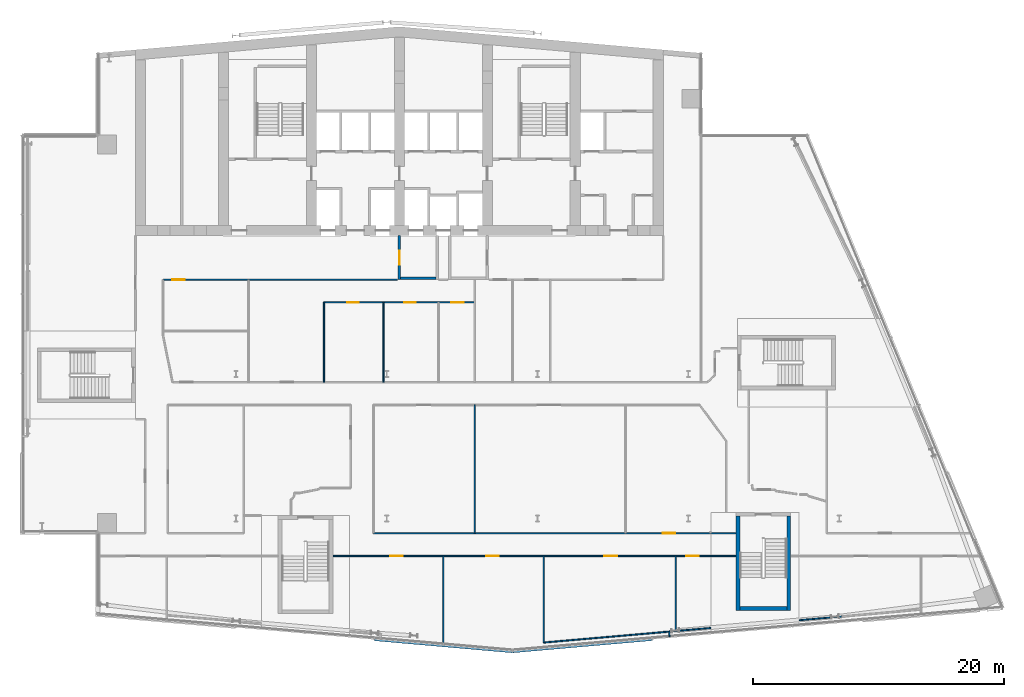
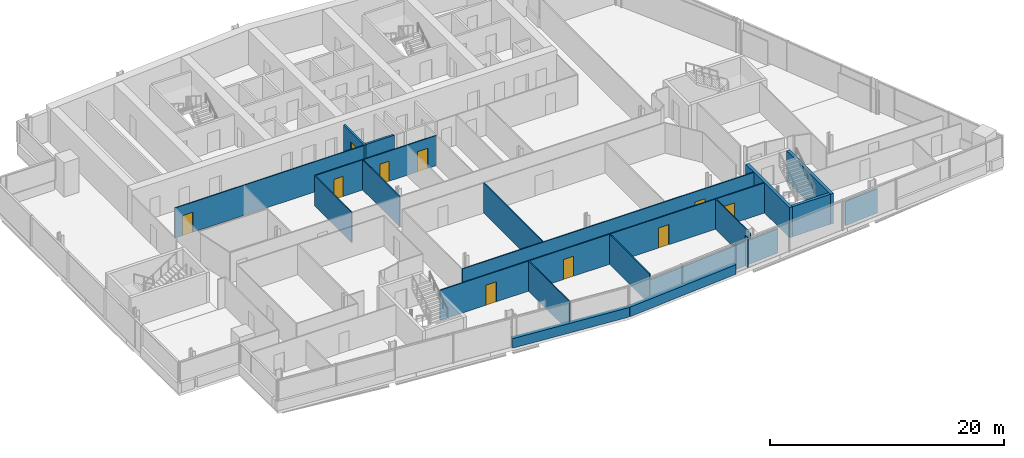
# One storey, part 16 of 24: 20 walls, 10 doors, 10 openings.
"""IFC4 building model written with IfcOpenShell, lengths in metres."""

from ifc_helpers import new_model, si_unit, direction, frame, frame_2d, origin, place, context, subcontext, project, spatial, rectangle, extrude, material, layer, layer_set, type_object, element, fill, save


model = new_model("IFC4")

# Units and contexts
model_context = context("Model", 3, precision=1e-05, world=origin(), true_north=direction((0.0, 1.0)))
body_context = subcontext(model_context, "Body", "Model", "MODEL_VIEW")
ifc_project = project(units=[si_unit("LENGTHUNIT", "METRE"), si_unit("AREAUNIT", "SQUARE_METRE"), si_unit("VOLUMEUNIT", "CUBIC_METRE"), si_unit("PLANEANGLEUNIT", "RADIAN"), si_unit("MASSUNIT", "GRAM", prefix="KILO")], contexts=[model_context])

# Site, building, storey
site_placement = place(None, origin())
site = spatial("IfcSite", under=ifc_project, at=site_placement, CompositionType="ELEMENT")
building_placement = place(site_placement, origin())
building = spatial("IfcBuilding", under=site, at=building_placement, Name="Wharfspan Tower", CompositionType="ELEMENT")
storey_placement = place(building_placement, frame((0.0, 0.0, 198.699951)))
storey = spatial("IfcBuildingStorey", under=building, at=storey_placement, Name="L49", CompositionType="ELEMENT", Elevation=198.699951)

# Wall, opening, door
ifc_material_1 = material(Name="Gypsum board on steel studs", Category="steel")
ifc_layer_1 = layer(ifc_material_1, 0.100098)
ifc_layer_set_1 = layer_set([ifc_layer_1], Name="Gypsum board on steel studs")
wall_type_1 = type_object("IfcWallType", Name="Compartment wall 100 EI 60", PredefinedType="PARTITIONING", material=ifc_layer_set_1)
wall_1_placement = place(storey_placement, frame((18.199951, 30.5, 0.0), z_axis=(0.0, 0.0, 1.0), x_axis=(1.0, 0.0, 0.0)))
wall_1 = element("IfcWall", 1, at=wall_1_placement, inside=storey, type_object=wall_type_1, Name="Partition L49.w011", PredefinedType="PARTITIONING", context=body_context, shape_type="SweptSolid", body=[
    extrude(rectangle(XDim=18.650146, YDim=0.100098, at=frame_2d((9.325195, 0.0))), origin(), (0.0, 0.0, 1.0), 3.150146),
])
opening_1_placement = place(wall_1_placement, frame((0.73999, 0.0, 0.0)))
opening_1 = element("IfcOpeningElement", 2, at=opening_1_placement, cuts=wall_1, Name="Opening C6-24", PredefinedType="OPENING", context=body_context, shape_type="SweptSolid", body=[
    extrude(rectangle(XDim=1.0, YDim=2.100098, at=frame_2d((0.5, 1.050049))), frame((0.0, 0.060059, 0.0), z_axis=(0.0, -1.0, 0.0), x_axis=(1.0, 0.0, 0.0)), (0.0, 0.0, 1.0), 0.120117),
])
ifc_material_2 = material(Name="Fire-rated timber door leaf in steel frame", Category="steel")
door_type_1 = type_object("IfcDoorType", Name="Door 1000 FD30S Left", OperationType="SINGLE_SWING_LEFT", PredefinedType="DOOR", material=ifc_material_2)
door_1_placement = place(opening_1_placement, origin())
door_1 = element("IfcDoor", 3, at=door_1_placement, inside=storey, type_object=door_type_1, Name="Door C6-24", OperationType="SINGLE_SWING_LEFT", OverallHeight=2.100098, OverallWidth=1.0, PredefinedType="DOOR", context=body_context, shape_type="SweptSolid", body=[
    extrude(rectangle(XDim=1.0, YDim=2.100098, at=frame_2d((0.5, 1.050049))), frame((0.0, 0.024902, 0.0), z_axis=(0.0, -1.0, 0.0), x_axis=(1.0, 0.0, 0.0)), (0.0, 0.0, 1.0), 0.050049),
])
fill(opening_1, door_1)

# Wall
wall_2_placement = place(storey_placement, frame((31.0, 22.340088, 0.0), z_axis=(0.0, 0.0, 1.0), x_axis=(0.0, 1.0, 0.0)))
element("IfcWall", 4, at=wall_2_placement, inside=storey, type_object=wall_type_1, Name="Partition L49.w031", PredefinedType="PARTITIONING", context=body_context, shape_type="SweptSolid", body=[
    extrude(rectangle(XDim=6.359863, YDim=0.100098, at=frame_2d((3.179932, 0.0))), origin(), (0.0, 0.0, 1.0), 3.150146),
])

# Wall, openings, doors
wall_3_placement = place(storey_placement, frame((31.714111, 8.52002, 0.0), z_axis=(0.0, 0.0, 1.0), x_axis=(1.0, 0.0, 0.0)))
wall_3 = element("IfcWall", 5, at=wall_3_placement, inside=storey, type_object=wall_type_1, Name="Partition L49.w033", PredefinedType="PARTITIONING", context=body_context, shape_type="SweptSolid", body=[
    extrude(rectangle(XDim=32.072266, YDim=0.100098, at=frame_2d((16.036133, 0.0))), origin(), (0.0, 0.0, 1.0), 3.150146),
])
opening_2_placement = place(wall_3_placement, frame((4.545898, 0.0, 0.0)))
opening_2 = element("IfcOpeningElement", 6, at=opening_2_placement, cuts=wall_3, Name="Opening C6-03", PredefinedType="OPENING", context=body_context, shape_type="SweptSolid", body=[
    extrude(rectangle(XDim=1.0, YDim=2.100098, at=frame_2d((0.5, 1.050049))), frame((0.0, 0.060059, 0.0), z_axis=(0.0, -1.0, 0.0), x_axis=(1.0, 0.0, 0.0)), (0.0, 0.0, 1.0), 0.120117),
])
opening_3_placement = place(wall_3_placement, frame((12.205811, 0.0, 0.0)))
opening_3 = element("IfcOpeningElement", 7, at=opening_3_placement, cuts=wall_3, Name="Opening C6-04", PredefinedType="OPENING", context=body_context, shape_type="SweptSolid", body=[
    extrude(rectangle(XDim=1.0, YDim=2.100098, at=frame_2d((0.5, 1.050049))), frame((0.0, 0.060059, 0.0), z_axis=(0.0, -1.0, 0.0), x_axis=(1.0, 0.0, 0.0)), (0.0, 0.0, 1.0), 0.120117),
])
opening_4_placement = place(wall_3_placement, frame((21.605713, 0.0, 0.0)))
opening_4 = element("IfcOpeningElement", 8, at=opening_4_placement, cuts=wall_3, Name="Opening C6-05", PredefinedType="OPENING", context=body_context, shape_type="SweptSolid", body=[
    extrude(rectangle(XDim=1.0, YDim=2.100098, at=frame_2d((0.5, 1.050049))), frame((0.0, 0.060059, 0.0), z_axis=(0.0, -1.0, 0.0), x_axis=(1.0, 0.0, 0.0)), (0.0, 0.0, 1.0), 0.120117),
])
opening_5_placement = place(wall_3_placement, frame((28.105713, 0.0, 0.0)))
opening_5 = element("IfcOpeningElement", 9, at=opening_5_placement, cuts=wall_3, Name="Opening C6-06", PredefinedType="OPENING", context=body_context, shape_type="SweptSolid", body=[
    extrude(rectangle(XDim=1.0, YDim=2.100098, at=frame_2d((0.5, 1.050049))), frame((0.0, 0.060059, 0.0), z_axis=(0.0, -1.0, 0.0), x_axis=(1.0, 0.0, 0.0)), (0.0, 0.0, 1.0), 0.120117),
])
door_2_placement = place(opening_2_placement, origin())
door_2 = element("IfcDoor", 10, at=door_2_placement, inside=storey, type_object=door_type_1, Name="Door C6-03", OperationType="SINGLE_SWING_LEFT", OverallHeight=2.100098, OverallWidth=1.0, PredefinedType="DOOR", context=body_context, shape_type="SweptSolid", body=[
    extrude(rectangle(XDim=1.0, YDim=2.100098, at=frame_2d((0.5, 1.050049))), frame((0.0, 0.024902, 0.0), z_axis=(0.0, -1.0, 0.0), x_axis=(1.0, 0.0, 0.0)), (0.0, 0.0, 1.0), 0.050049),
])
fill(opening_2, door_2)
door_3_placement = place(opening_3_placement, origin())
door_3 = element("IfcDoor", 11, at=door_3_placement, inside=storey, type_object=door_type_1, Name="Door C6-04", OperationType="SINGLE_SWING_LEFT", OverallHeight=2.100098, OverallWidth=1.0, PredefinedType="DOOR", context=body_context, shape_type="SweptSolid", body=[
    extrude(rectangle(XDim=1.0, YDim=2.100098, at=frame_2d((0.5, 1.050049))), frame((0.0, 0.024902, 0.0), z_axis=(0.0, -1.0, 0.0), x_axis=(1.0, 0.0, 0.0)), (0.0, 0.0, 1.0), 0.050049),
])
fill(opening_3, door_3)
door_type_2 = type_object("IfcDoorType", Name="Door 1000 FD30S Right", OperationType="SINGLE_SWING_RIGHT", PredefinedType="DOOR", material=ifc_material_2)
door_4_placement = place(opening_4_placement, origin())
door_4 = element("IfcDoor", 12, at=door_4_placement, inside=storey, type_object=door_type_2, Name="Door C6-05", OperationType="SINGLE_SWING_RIGHT", OverallHeight=2.100098, OverallWidth=1.0, PredefinedType="DOOR", context=body_context, shape_type="SweptSolid", body=[
    extrude(rectangle(XDim=1.0, YDim=2.100098, at=frame_2d((0.5, 1.050049))), frame((0.0, 0.024902, 0.0), z_axis=(0.0, -1.0, 0.0), x_axis=(1.0, 0.0, 0.0)), (0.0, 0.0, 1.0), 0.050049),
])
fill(opening_4, door_4)
door_5_placement = place(opening_5_placement, origin())
door_5 = element("IfcDoor", 13, at=door_5_placement, inside=storey, type_object=door_type_2, Name="Door C6-06", OperationType="SINGLE_SWING_RIGHT", OverallHeight=2.100098, OverallWidth=1.0, PredefinedType="DOOR", context=body_context, shape_type="SweptSolid", body=[
    extrude(rectangle(XDim=1.0, YDim=2.100098, at=frame_2d((0.5, 1.050049))), frame((0.0, 0.024902, 0.0), z_axis=(0.0, -1.0, 0.0), x_axis=(1.0, 0.0, 0.0)), (0.0, 0.0, 1.0), 0.050049),
])
fill(opening_5, door_5)

# Wall, opening, door
wall_4_placement = place(storey_placement, frame((34.945068, 10.324951, 0.0), z_axis=(0.0, 0.0, 1.0), x_axis=(1.0, 0.0, 0.0)))
wall_4 = element("IfcWall", 14, at=wall_4_placement, inside=storey, type_object=wall_type_1, Name="Partition L49.w036", PredefinedType="PARTITIONING", context=body_context, shape_type="SweptSolid", body=[
    extrude(rectangle(XDim=28.841309, YDim=0.100098, at=frame_2d((14.420654, 0.0))), origin(), (0.0, 0.0, 1.0), 3.150146),
])
opening_6_placement = place(wall_4_placement, frame((22.995117, 0.0, 0.0)))
opening_6 = element("IfcOpeningElement", 15, at=opening_6_placement, cuts=wall_4, Name="Opening C6-09", PredefinedType="OPENING", context=body_context, shape_type="SweptSolid", body=[
    extrude(rectangle(XDim=1.0, YDim=2.100098, at=frame_2d((0.5, 1.050049))), frame((0.0, 0.060059, 0.0), z_axis=(0.0, -1.0, 0.0), x_axis=(1.0, 0.0, 0.0)), (0.0, 0.0, 1.0), 0.120117),
])
door_6_placement = place(opening_6_placement, origin())
door_6 = element("IfcDoor", 16, at=door_6_placement, inside=storey, type_object=door_type_2, Name="Door C6-09", OperationType="SINGLE_SWING_RIGHT", OverallHeight=2.100098, OverallWidth=1.0, PredefinedType="DOOR", context=body_context, shape_type="SweptSolid", body=[
    extrude(rectangle(XDim=1.0, YDim=2.100098, at=frame_2d((0.5, 1.050049))), frame((0.0, 0.024902, 0.0), z_axis=(0.0, -1.0, 0.0), x_axis=(1.0, 0.0, 0.0)), (0.0, 0.0, 1.0), 0.050049),
])
fill(opening_6, door_6)

# Walls
wall_5_placement = place(storey_placement, frame((35.73999, 22.340088, 0.0), z_axis=(0.0, 0.0, 1.0), x_axis=(0.0, 1.0, 0.0)))
element("IfcWall", 17, at=wall_5_placement, inside=storey, type_object=wall_type_1, Name="Partition L49.w040", PredefinedType="PARTITIONING", context=body_context, shape_type="SweptSolid", body=[
    extrude(rectangle(XDim=6.359863, YDim=0.100098, at=frame_2d((3.179932, 0.0))), origin(), (0.0, 0.0, 1.0), 3.150146),
])
wall_6_placement = place(storey_placement, frame((40.5, 1.489258, 0.0), z_axis=(0.0, 0.0, 1.0), x_axis=(0.0, 1.0, 0.0)))
element("IfcWall", 18, at=wall_6_placement, inside=storey, type_object=wall_type_1, Name="Partition L49.w042", PredefinedType="PARTITIONING", context=body_context, shape_type="SweptSolid", body=[
    extrude(rectangle(XDim=7.030762, YDim=0.100098, at=frame_2d((3.515381, 0.0))), origin(), (0.0, 0.0, 1.0), 3.150146),
])
wall_7_placement = place(storey_placement, frame((43.0, 10.330078, 0.0), z_axis=(0.0, 0.0, 1.0), x_axis=(0.0, 1.0, 0.0)))
element("IfcWall", 19, at=wall_7_placement, inside=storey, type_object=wall_type_1, Name="Partition L49.w043", PredefinedType="PARTITIONING", context=body_context, shape_type="SweptSolid", body=[
    extrude(rectangle(XDim=10.204834, YDim=0.100098, at=frame_2d((5.102539, 0.0))), origin(), (0.0, 0.0, 1.0), 3.150146),
])
wall_8_placement = place(storey_placement, frame((48.5, 1.629883, 0.0), z_axis=(0.0, 0.0, 1.0), x_axis=(0.0, 1.0, 0.0)))
element("IfcWall", 20, at=wall_8_placement, inside=storey, type_object=wall_type_1, Name="Partition L49.w046", PredefinedType="PARTITIONING", context=body_context, shape_type="SweptSolid", body=[
    extrude(rectangle(XDim=6.890137, YDim=0.100098, at=frame_2d((3.445068, 0.0))), origin(), (0.0, 0.0, 1.0), 3.150146),
])
wall_9_placement = place(storey_placement, frame((59.0, 2.544922, 0.0), z_axis=(0.0, 0.0, 1.0), x_axis=(0.0, 1.0, 0.0)))
element("IfcWall", 21, at=wall_9_placement, inside=storey, type_object=wall_type_1, Name="Partition L49.w052", PredefinedType="PARTITIONING", context=body_context, shape_type="SweptSolid", body=[
    extrude(rectangle(XDim=5.975098, YDim=0.100098, at=frame_2d((2.987549, 0.0))), origin(), (0.0, 0.0, 1.0), 3.150146),
])

# Wall, opening, door
ifc_material_3 = material(Name="Concrete C30/37", Category="concrete")
ifc_layer_2 = layer(ifc_material_3, 0.199951)
ifc_layer_set_2 = layer_set([ifc_layer_2], Name="Concrete C30/37")
wall_type_2 = type_object("IfcWallType", Name="Lobby wall 200", PredefinedType="PARTITIONING", material=ifc_layer_set_2)
wall_10_placement = place(storey_placement, frame((37.0, 30.5, 0.0), z_axis=(0.0, 0.0, 1.0), x_axis=(0.0, 1.0, 0.0)))
wall_10 = element("IfcWall", 22, at=wall_10_placement, inside=storey, type_object=wall_type_2, Name="sw:L49:FLFF1W", PredefinedType="PARTITIONING", context=body_context, shape_type="SweptSolid", body=[
    extrude(rectangle(XDim=3.5, YDim=0.199951, at=frame_2d((1.75, 0.0))), origin(), (0.0, 0.0, 1.0), 3.150146),
])
opening_7_placement = place(wall_10_placement, frame((1.199951, 0.0, 0.0)))
opening_7 = element("IfcOpeningElement", 23, at=opening_7_placement, cuts=wall_10, Name="Opening FL.FF1.L49", PredefinedType="OPENING", context=body_context, shape_type="SweptSolid", body=[
    extrude(rectangle(XDim=1.100098, YDim=2.100098, at=frame_2d((0.550049, 1.050049))), frame((0.0, 0.109863, 0.0), z_axis=(0.0, -1.0, 0.0), x_axis=(1.0, 0.0, 0.0)), (0.0, 0.0, 1.0), 0.219971),
])
ifc_material_4 = material(Name="Steel door leaf", Category="steel")
door_type_3 = type_object("IfcDoorType", Name="Firefighting lobby door 1100x2100", OperationType="SINGLE_SWING_LEFT", PredefinedType="DOOR", material=ifc_material_4)
door_7_placement = place(opening_7_placement, origin())
door_7 = element("IfcDoor", 24, at=door_7_placement, inside=storey, type_object=door_type_3, Name="fd:L49:FF1", OperationType="SINGLE_SWING_LEFT", OverallHeight=2.100098, OverallWidth=1.100098, PredefinedType="DOOR", context=body_context, shape_type="SweptSolid", body=[
    extrude(rectangle(XDim=1.100098, YDim=2.100098, at=frame_2d((0.550049, 1.050049))), frame((0.0, 0.024902, 0.0), z_axis=(0.0, -1.0, 0.0), x_axis=(1.0, 0.0, 0.0)), (0.0, 0.0, 1.0), 0.050049),
])
fill(opening_7, door_7)

# Wall
wall_11_placement = place(storey_placement, frame((37.100098, 30.600098, 0.0), z_axis=(0.0, 0.0, 1.0), x_axis=(1.0, 0.0, 0.0)))
element("IfcWall", 25, at=wall_11_placement, inside=storey, type_object=wall_type_2, Name="sw:L49:FLFF1F", PredefinedType="PARTITIONING", context=body_context, shape_type="SweptSolid", body=[
    extrude(rectangle(XDim=2.799805, YDim=0.199951, at=frame_2d((1.399902, 0.0))), origin(), (0.0, 0.0, 1.0), 3.150146),
])

# Wall, openings, doors
ifc_layer_3 = layer(ifc_material_1, 0.100098)
ifc_layer_set_3 = layer_set([ifc_layer_3], Name="Gypsum board on steel studs")
wall_type_3 = type_object("IfcWallType", Name="Partition 100", PredefinedType="PARTITIONING", material=ifc_layer_set_3)
wall_12_placement = place(storey_placement, frame((31.0, 28.699951, 0.0), z_axis=(0.0, 0.0, 1.0), x_axis=(1.0, 0.0, 0.0)))
wall_12 = element("IfcWall", 26, at=wall_12_placement, inside=storey, type_object=wall_type_3, Name="Partition L49.w032", PredefinedType="PARTITIONING", context=body_context, shape_type="SweptSolid", body=[
    extrude(rectangle(XDim=12.0, YDim=0.100098, at=frame_2d((6.0, 0.0))), origin(), (0.0, 0.0, 1.0), 3.150146),
])
opening_8_placement = place(wall_12_placement, frame((1.870117, 0.0, 0.0)))
opening_8 = element("IfcOpeningElement", 27, at=opening_8_placement, cuts=wall_12, Name="Opening C6-20", PredefinedType="OPENING", context=body_context, shape_type="SweptSolid", body=[
    extrude(rectangle(XDim=0.899902, YDim=2.100098, at=frame_2d((0.449951, 1.050049))), frame((0.0, 0.060059, 0.0), z_axis=(0.0, -1.0, 0.0), x_axis=(1.0, 0.0, 0.0)), (0.0, 0.0, 1.0), 0.120117),
])
opening_9_placement = place(wall_12_placement, frame((6.409912, 0.0, 0.0)))
opening_9 = element("IfcOpeningElement", 28, at=opening_9_placement, cuts=wall_12, Name="Opening C6-21", PredefinedType="OPENING", context=body_context, shape_type="SweptSolid", body=[
    extrude(rectangle(XDim=0.899902, YDim=2.100098, at=frame_2d((0.449951, 1.050049))), frame((0.0, 0.060059, 0.0), z_axis=(0.0, -1.0, 0.0), x_axis=(1.0, 0.0, 0.0)), (0.0, 0.0, 1.0), 0.120117),
])
opening_10_placement = place(wall_12_placement, frame((10.139893, 0.0, 0.0)))
opening_10 = element("IfcOpeningElement", 29, at=opening_10_placement, cuts=wall_12, Name="Opening C6-22", PredefinedType="OPENING", context=body_context, shape_type="SweptSolid", body=[
    extrude(rectangle(XDim=1.0, YDim=2.100098, at=frame_2d((0.5, 1.050049))), frame((0.0, 0.060059, 0.0), z_axis=(0.0, -1.0, 0.0), x_axis=(1.0, 0.0, 0.0)), (0.0, 0.0, 1.0), 0.120117),
])
ifc_material_5 = material(Name="Timber door leaf in steel frame", Category="steel")
door_type_4 = type_object("IfcDoorType", Name="Door 1000 NOT RATED Right", OperationType="SINGLE_SWING_RIGHT", PredefinedType="DOOR", material=ifc_material_5)
door_8_placement = place(opening_10_placement, origin())
door_8 = element("IfcDoor", 30, at=door_8_placement, inside=storey, type_object=door_type_4, Name="Door C6-22", OperationType="SINGLE_SWING_RIGHT", OverallHeight=2.100098, OverallWidth=1.0, PredefinedType="DOOR", context=body_context, shape_type="SweptSolid", body=[
    extrude(rectangle(XDim=1.0, YDim=2.100098, at=frame_2d((0.5, 1.050049))), frame((0.0, 0.024902, 0.0), z_axis=(0.0, -1.0, 0.0), x_axis=(1.0, 0.0, 0.0)), (0.0, 0.0, 1.0), 0.050049),
])
fill(opening_10, door_8)
door_type_5 = type_object("IfcDoorType", Name="Door 900 NOT RATED Left", OperationType="SINGLE_SWING_LEFT", PredefinedType="DOOR", material=ifc_material_5)
door_9_placement = place(opening_8_placement, origin())
door_9 = element("IfcDoor", 31, at=door_9_placement, inside=storey, type_object=door_type_5, Name="Door C6-20", OperationType="SINGLE_SWING_LEFT", OverallHeight=2.100098, OverallWidth=0.899902, PredefinedType="DOOR", context=body_context, shape_type="SweptSolid", body=[
    extrude(rectangle(XDim=0.899902, YDim=2.100098, at=frame_2d((0.449951, 1.050049))), frame((0.0, 0.024902, 0.0), z_axis=(0.0, -1.0, 0.0), x_axis=(1.0, 0.0, 0.0)), (0.0, 0.0, 1.0), 0.050049),
])
fill(opening_8, door_9)
door_type_6 = type_object("IfcDoorType", Name="Door 900 NOT RATED Right", OperationType="SINGLE_SWING_RIGHT", PredefinedType="DOOR", material=ifc_material_5)
door_10_placement = place(opening_9_placement, origin())
door_10 = element("IfcDoor", 32, at=door_10_placement, inside=storey, type_object=door_type_6, Name="Door C6-21", OperationType="SINGLE_SWING_RIGHT", OverallHeight=2.100098, OverallWidth=0.899902, PredefinedType="DOOR", context=body_context, shape_type="SweptSolid", body=[
    extrude(rectangle(XDim=0.899902, YDim=2.100098, at=frame_2d((0.449951, 1.050049))), frame((0.0, 0.024902, 0.0), z_axis=(0.0, -1.0, 0.0), x_axis=(1.0, 0.0, 0.0)), (0.0, 0.0, 1.0), 0.050049),
])
fill(opening_9, door_10)

# Walls
wall_13_placement = place(storey_placement, frame((48.5, 1.629883, 0.0), z_axis=(0.0, 0.0, 1.0), x_axis=(0.996225, 0.086828, 0.0)))
element("IfcWall", 33, at=wall_13_placement, inside=storey, type_object=wall_type_3, Name="Partition L49.w047", PredefinedType="PARTITIONING", context=body_context, shape_type="SweptSolid", body=[
    extrude(rectangle(XDim=13.341797, YDim=0.100098, at=frame_2d((6.670898, 0.0))), origin(), (0.0, 0.0, 1.0), 2.530029),
])
wall_14_placement = place(storey_placement, frame((58.498291, 2.101562, 0.0), z_axis=(0.0, 0.0, 1.0), x_axis=(-0.083045, 0.996542, 0.0)))
element("IfcWall", 34, at=wall_14_placement, inside=storey, type_object=wall_type_3, Name="Partition L49.w051", PredefinedType="PARTITIONING", context=body_context, shape_type="SweptSolid", body=[
    extrude(rectangle(XDim=0.399902, YDim=0.100098, at=frame_2d((0.199951, 0.0))), origin(), (0.0, 0.0, 1.0), 3.150146),
])
wall_15_placement = place(storey_placement, frame((68.831299, 3.406738, 0.0), z_axis=(0.0, 0.0, 1.0), x_axis=(0.996283, 0.086167, 0.0)))
element("IfcWall", 35, at=wall_15_placement, inside=storey, type_object=wall_type_3, Name="Partition L49.w068", PredefinedType="PARTITIONING", context=body_context, shape_type="SweptSolid", body=[
    extrude(rectangle(XDim=3.346191, YDim=0.100098, at=frame_2d((1.673096, 0.0))), origin(), (0.0, 0.0, 1.0), 2.530029),
])
ifc_material_6 = material(Name="Concrete C40/50", Category="concrete")
ifc_layer_4 = layer(ifc_material_6, 0.350098)
ifc_layer_set_4 = layer_set([ifc_layer_4], Name="Concrete C40/50")
wall_type_4 = type_object("IfcWallType", Name="SPANDREL EXPOSED CONCRETE 350", PredefinedType="SOLIDWALL", material=ifc_layer_set_4)
wall_16_placement = place(storey_placement, frame((35.029541, 1.942627, 0.0), z_axis=(0.0, 0.0, 1.0), x_axis=(0.996199, -0.08714, 0.0)))
element("IfcWall", 36, at=wall_16_placement, inside=storey, type_object=wall_type_4, Name="Spandrel upstand L49 S1 2", PredefinedType="SOLIDWALL", context=body_context, shape_type="SweptSolid", body=[
    extrude(rectangle(XDim=11.027588, YDim=0.350098, at=frame_2d((5.513672, 0.0))), origin(), (0.0, 0.0, 1.0), 1.0),
])
wall_17_placement = place(storey_placement, frame((46.04541, 0.986816, 0.0), z_axis=(0.0, 0.0, 1.0), x_axis=(0.996193, 0.087171, 0.0)))
element("IfcWall", 37, at=wall_17_placement, inside=storey, type_object=wall_type_4, Name="Spandrel upstand L49 S2 1", PredefinedType="SOLIDWALL", context=body_context, shape_type="SweptSolid", body=[
    extrude(rectangle(XDim=11.110352, YDim=0.350098, at=frame_2d((5.555176, 0.0))), origin(), (0.0, 0.0, 1.0), 1.0),
])
ifc_layer_5 = layer(ifc_material_6, 0.300049)
ifc_layer_set_5 = layer_set([ifc_layer_5], Name="Concrete C40/50")
wall_type_5 = type_object("IfcWallType", Name="Stair core wall 300", PredefinedType="SHEAR", material=ifc_layer_set_5)
for number, where, z_axis, x_axis, name in (
    (38, (63.936279, 4.183594, 0.0), (0.0, 0.0, 1.0), (0.0, 1.0, 0.0), "ST5 stair enclosure wall L49"),
    (39, (67.986328, 4.183594, 0.0), (0.0, 0.0, 1.0), (0.0, 1.0, 0.0), "ST5 stair enclosure wall L49"),
):
    element("IfcWall", number, at=place(storey_placement, frame(where, z_axis=z_axis, x_axis=x_axis)), inside=storey, type_object=wall_type_5, Name=name, PredefinedType="SHEAR", context=body_context, shape_type="SweptSolid", body=[
        extrude(rectangle(XDim=7.5, YDim=0.300049, at=frame_2d((3.75, 0.0))), origin(), (0.0, 0.0, 1.0), 3.150146),
    ])
wall_18_placement = place(storey_placement, frame((64.086426, 4.33374, 0.0), z_axis=(0.0, 0.0, 1.0), x_axis=(1.0, 0.0, 0.0)))
element("IfcWall", 40, at=wall_18_placement, inside=storey, type_object=wall_type_5, Name="ST5 stair enclosure wall L49", PredefinedType="SHEAR", context=body_context, shape_type="SweptSolid", body=[
    extrude(rectangle(XDim=3.75, YDim=0.300049, at=frame_2d((1.875, 0.0))), origin(), (0.0, 0.0, 1.0), 3.150146),
])

save(model, "model.ifc")
